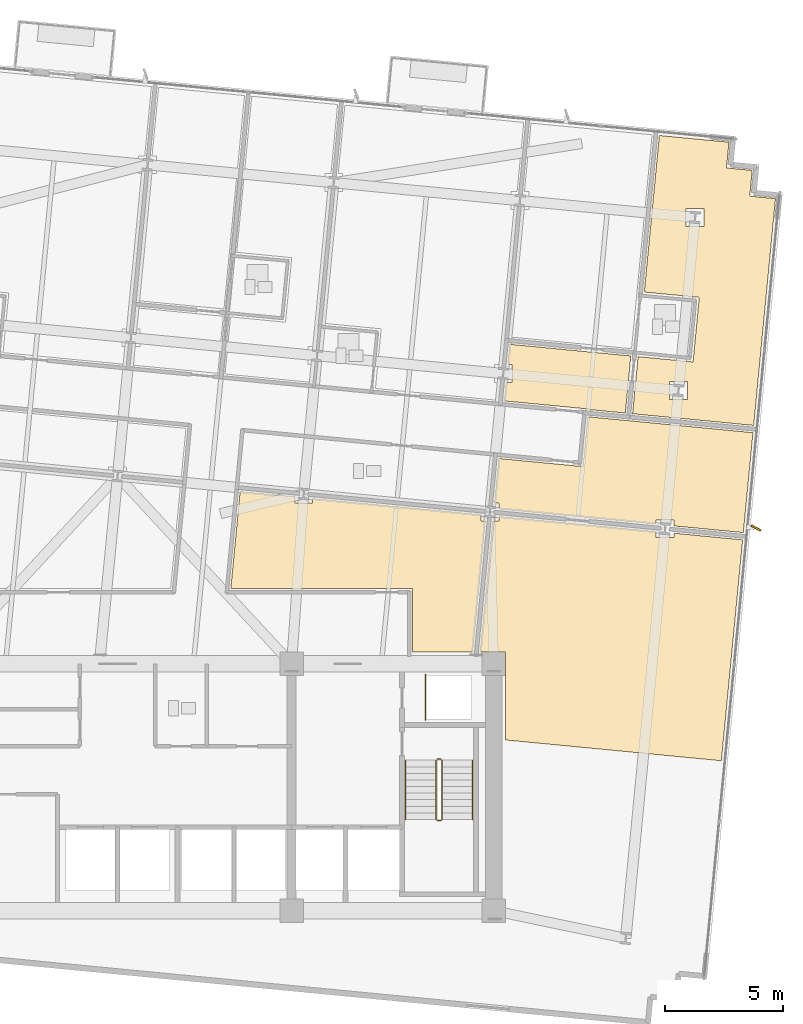
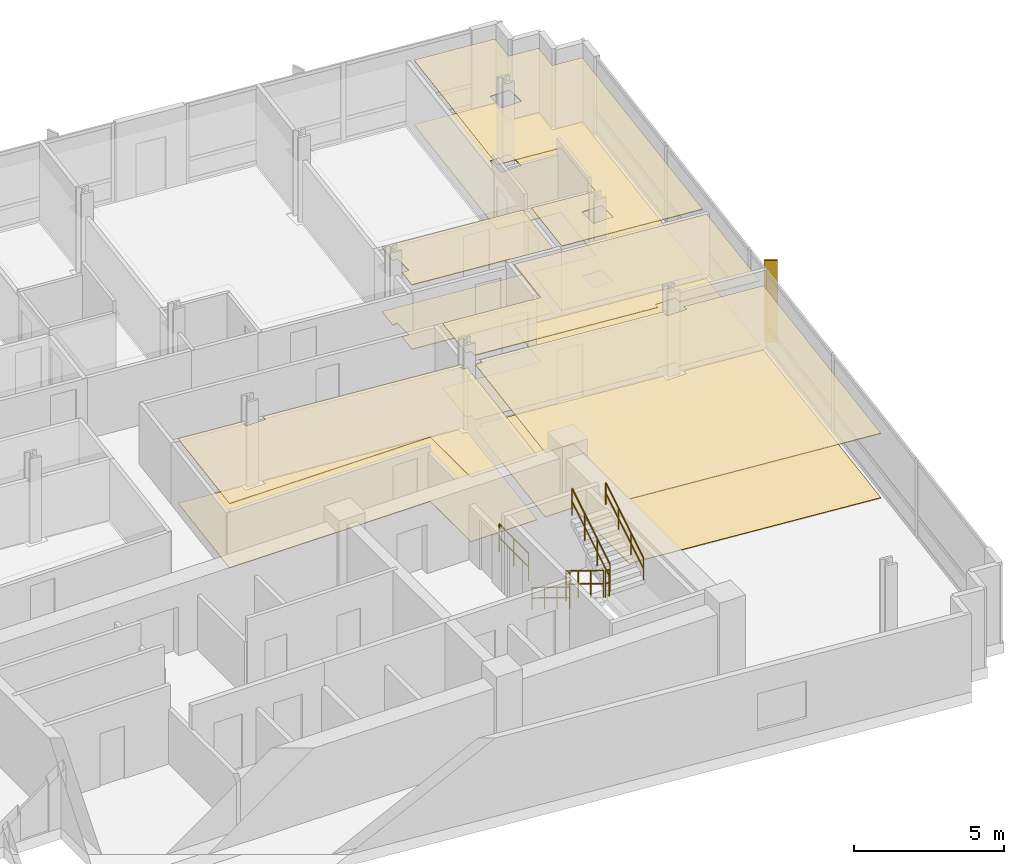
# One storey, part 16 of 18: 10 coverings, 7 railings, 1 shading device.
"""IFC4 building model written with IfcOpenShell, lengths in metres."""

import ifcopenshell
import ifcopenshell.guid

model = None  # the IFC model being written
_history = None  # IfcOwnerHistory: only IFC2X3 demands one
_inside = {}  # id of a spatial element -> (the spatial element, [elements in it])
_under = {}  # id of a project, library or spatial element -> (it, [spatial elements below it])
_declared = {}  # id of a project -> (the project, [libraries it declares])
_typed = {}  # id of a type object -> (the type object, [elements of that type])
_made_of = {}  # id of a material, layer set ... -> (it, [elements and type objects made of it])


def new_model(schema):
    """Start an empty IFC model of exactly this schema.

    Asked for "IFC4X3", IfcOpenShell would pick the latest addendum, in which some entities
    have other attributes; the version numbers below select the first issue.
    IFC2X3 requires an IfcOwnerHistory on every rooted entity: one is made here for all.
    """
    global model, _history
    if schema == "IFC4X3":
        model = ifcopenshell.file(schema_version=(4, 3, 0, 0))
    else:
        model = ifcopenshell.file(schema=schema)
    _inside.clear()
    _under.clear()
    _declared.clear()
    _typed.clear()
    _made_of.clear()
    _history = None
    if model.schema == "IFC2X3":
        org = make("IfcOrganization", Name="unknown")
        user = make(
            "IfcPersonAndOrganization",
            ThePerson=make("IfcPerson", FamilyName="unknown"),
            TheOrganization=org,
        )
        app = make(
            "IfcApplication",
            ApplicationDeveloper=org,
            Version="unknown",
            ApplicationFullName="unknown",
            ApplicationIdentifier="unknown",
        )
        _history = make(
            "IfcOwnerHistory",
            OwningUser=user,
            OwningApplication=app,
            ChangeAction="ADDED",
            CreationDate=0,
        )
    return model


def make(cls, **values):
    """One entity of the class cls with the attributes given. An attribute that is None is left unset."""
    return model.create_entity(
        cls, **{name: value for name, value in values.items() if value is not None}
    )


def rooted(cls, **values):
    """An entity with a GlobalId (a new one), such as an element, a storey or a relation."""
    return make(cls, GlobalId=ifcopenshell.guid.new(), OwnerHistory=_history, **values)


def si_unit(unit_type, name, prefix=None):
    """IfcSIUnit, for example si_unit("LENGTHUNIT", "METRE", prefix="MILLI")."""
    return make("IfcSIUnit", UnitType=unit_type, Prefix=prefix, Name=name)


def assignment(units):
    """IfcUnitAssignment: the units of a project."""
    return None if units is None else make("IfcUnitAssignment", Units=units)


def point(xyz):
    """IfcCartesianPoint."""
    return None if xyz is None else make("IfcCartesianPoint", Coordinates=xyz)


def direction(xyz):
    """IfcDirection."""
    return None if xyz is None else make("IfcDirection", DirectionRatios=xyz)


def frame(location, z_axis=None, x_axis=None):
    """IfcAxis2Placement3D, a coordinate frame: its origin and axes. An axis left out is left unset."""
    return make(
        "IfcAxis2Placement3D",
        Location=point(location),
        Axis=direction(z_axis),
        RefDirection=direction(x_axis),
    )


def frame_2d(location, x_axis=None):
    """IfcAxis2Placement2D, a coordinate frame in the plane: its origin and x axis."""
    return make(
        "IfcAxis2Placement2D", Location=point(location), RefDirection=direction(x_axis)
    )


def origin():
    """The frame at (0, 0, 0) with its axes left unset."""
    return frame((0.0, 0.0, 0.0))


def origin_2d():
    """The frame at (0, 0) in the plane with its x axis left unset."""
    return frame_2d((0.0, 0.0))


def place(relative_to, where):
    """IfcLocalPlacement: puts the frame where relative to a parent placement (None: the world)."""
    return make(
        "IfcLocalPlacement", PlacementRelTo=relative_to, RelativePlacement=where
    )


def context(
    kind, dimensions, precision=None, world=None, true_north=None, identifier=None
):
    """IfcGeometricRepresentationContext, for example the 3D "Model" context."""
    return make(
        "IfcGeometricRepresentationContext",
        ContextIdentifier=identifier,
        ContextType=kind,
        CoordinateSpaceDimension=dimensions,
        Precision=precision,
        WorldCoordinateSystem=world,
        TrueNorth=true_north,
    )


def subcontext(parent, identifier, kind, view, scale=None):
    """IfcGeometricRepresentationSubContext, for example "Body" below "Model"."""
    return make(
        "IfcGeometricRepresentationSubContext",
        ContextIdentifier=identifier,
        ContextType=kind,
        ParentContext=parent,
        TargetScale=scale,
        TargetView=view,
    )


def project(units=None, contexts=None):
    """IfcProject with its units and contexts."""
    return rooted(
        "IfcProject",
        Name="project",
        RepresentationContexts=contexts,
        UnitsInContext=assignment(units),
    )


def spatial(cls, under=None, at=None, **own):
    """A site, building, storey or space (cls), placed at a placement, below another one or the project."""
    s = rooted(cls, ObjectPlacement=at, **own)
    if under is not None:
        _under.setdefault(under.id(), (under, []))[1].append(s)
    return s


def polyline(points):
    """IfcPolyline through the points."""
    return make("IfcPolyline", Points=[point(p) for p in points])


def profile(cls, at=None, kind="AREA", **sizes):
    """A parametric profile (cls). Its sizes go by their IFC names, for example OverallWidth=200.0."""
    return make(cls, ProfileType=kind, Position=at, **sizes)


def rectangle(**sizes):
    """IfcRectangleProfileDef."""
    return profile("IfcRectangleProfileDef", **sizes)


def circle(**sizes):
    """IfcCircleProfileDef."""
    return profile("IfcCircleProfileDef", **sizes)


def outline(outer, holes=None, kind="AREA"):
    """IfcArbitraryClosedProfileDef: a profile drawn as a closed curve; with holes, ...WithVoids."""
    if holes is None:
        return make("IfcArbitraryClosedProfileDef", ProfileType=kind, OuterCurve=outer)
    return make(
        "IfcArbitraryProfileDefWithVoids",
        ProfileType=kind,
        OuterCurve=outer,
        InnerCurves=holes,
    )


def extrude(swept, where, along, depth):
    """IfcExtrudedAreaSolid: the profile swept, set in the frame where, extruded along a direction by depth."""
    return make(
        "IfcExtrudedAreaSolid",
        SweptArea=swept,
        Position=where,
        ExtrudedDirection=direction(along),
        Depth=depth,
    )


def shape(context_of_items, identifier, shape_type, items):
    """IfcShapeRepresentation: the items that make up one representation, for example the "Body"."""
    return make(
        "IfcShapeRepresentation",
        ContextOfItems=context_of_items,
        RepresentationIdentifier=identifier,
        RepresentationType=shape_type,
        Items=items,
    )


def material(Name=None, Category=None):
    """IfcMaterial."""
    return make("IfcMaterial", Name=Name, Category=Category)


def layer(
    of_material, thickness, ventilated=None, Name=None, Category=None, Priority=None
):
    """IfcMaterialLayer: one layer of a wall or slab, of a material (None: an air gap)."""
    return make(
        "IfcMaterialLayer",
        Material=of_material,
        LayerThickness=thickness,
        IsVentilated=ventilated,
        Name=Name,
        Category=Category,
        Priority=Priority,
    )


def layer_set(layers, Name=None):
    """IfcMaterialLayerSet."""
    return make("IfcMaterialLayerSet", MaterialLayers=layers, LayerSetName=Name)


def made_of(thing, what):
    """Note that an element or type object is made of a material, layer set ...; save() writes the relation."""
    if what is not None:
        _made_of.setdefault(what.id(), (what, []))[1].append(thing)
    return thing


def type_object(cls, material=None, **own):
    """A type object (cls), such as IfcWallType, which elements share."""
    return made_of(rooted(cls, **own), material)


def element(
    cls,
    number,
    at=None,
    inside=None,
    cuts=None,
    type_object=None,
    material=None,
    context=None,
    identifier="Body",
    shape_type=None,
    held_by="IfcProductDefinitionShape",
    body=None,
    shapes=None,
    **own,
):
    """One element of the class cls, such as IfcWall. Its Tag is "e" and its number.

    at: its placement. inside: the storey or other place that contains it. cuts: it is an
    opening in that element (IfcRelVoidsElement). A single representation is given by context,
    identifier, shape_type and body (its items); several are given by shapes. held_by: the class
    of the entity that holds the representations. save() writes the other relations.
    """
    e = rooted(cls, Tag="e%d" % number, ObjectPlacement=at, **own)
    if body is not None:
        shapes = [shape(context, identifier, shape_type, body)]
    if shapes is not None:
        e.Representation = make(held_by, Representations=shapes)
    if inside is not None:
        _inside.setdefault(inside.id(), (inside, []))[1].append(e)
    if cuts is not None:
        rooted(
            "IfcRelVoidsElement", RelatingBuildingElement=cuts, RelatedOpeningElement=e
        )
    if type_object is not None:
        _typed.setdefault(type_object.id(), (type_object, []))[1].append(e)
    return made_of(e, material)


def aggregate(whole, parts):
    """IfcRelAggregates: a whole, such as a stair, and the parts it consists of."""
    return rooted("IfcRelAggregates", RelatingObject=whole, RelatedObjects=parts)


def save(model, path):
    """Write the relations noted so far, then the file.

    IfcRelAggregates (storeys below a building ...), IfcRelContainedInSpatialStructure (elements
    in a storey), IfcRelDefinesByType, IfcRelAssociatesMaterial and IfcRelDeclares: one each for
    every whole, place, type object, material and project.
    """
    for whole, parts in _under.values():
        aggregate(whole, parts)
    for where, things in _inside.values():
        rooted(
            "IfcRelContainedInSpatialStructure",
            RelatedElements=things,
            RelatingStructure=where,
        )
    for kind, things in _typed.values():
        rooted("IfcRelDefinesByType", RelatedObjects=things, RelatingType=kind)
    for what, things in _made_of.values():
        rooted("IfcRelAssociatesMaterial", RelatedObjects=things, RelatingMaterial=what)
    for by, libraries in _declared.values():
        rooted("IfcRelDeclares", RelatingContext=by, RelatedDefinitions=libraries)
    model.write(path)


model = new_model("IFC4")

# Units and contexts
model_context = context("Model", 3, precision=1e-05, world=origin(), true_north=direction((0.0, 1.0)))
body_context = subcontext(model_context, "Body", "Model", "MODEL_VIEW")
ifc_project = project(units=[si_unit("LENGTHUNIT", "METRE"), si_unit("AREAUNIT", "SQUARE_METRE"), si_unit("VOLUMEUNIT", "CUBIC_METRE"), si_unit("PLANEANGLEUNIT", "RADIAN"), si_unit("MASSUNIT", "GRAM", prefix="KILO")], contexts=[model_context])

# Site, building, storey
site_placement = place(None, origin())
site = spatial("IfcSite", under=ifc_project, at=site_placement, CompositionType="ELEMENT")
building_placement = place(site_placement, origin())
building = spatial("IfcBuilding", under=site, at=building_placement, Name="Solmavex Isthmus Hotel", CompositionType="ELEMENT")
storey_placement = place(building_placement, frame((0.0, 0.0, 135.89990234375)))
storey = spatial("IfcBuildingStorey", under=building, at=storey_placement, Name="L36", CompositionType="ELEMENT", Elevation=135.89990234375)

# Coverings
ifc_material_1 = material(Name="Gypsum plasterboard lining", Category="gypsum")
ifc_layer_1 = layer(ifc_material_1, 0.030029296875)
ifc_layer_set_1 = layer_set([ifc_layer_1], Name="Gypsum plasterboard lining")
covering_type_1 = type_object("IfcCoveringType", Name="COV-CEIL-GYP", PredefinedType="CEILING", material=ifc_layer_set_1)
covering_1_placement = place(storey_placement, frame((0.0, 0.0, 2.6201171875)))
element("IfcCovering", 1, at=covering_1_placement, inside=storey, type_object=covering_type_1, Name="Suspended Acoustic Ceiling L36-SL06-FY", PredefinedType="CEILING", context=body_context, shape_type="SweptSolid", body=[
    extrude(outline(polyline([(16.5986328125, 10.22607421875), (16.786376953125, 10.22607421875), (16.786376953125, 9.466064453125), (16.525390625, 9.466064453125), (16.449951171875, 8.68359375), (20.033447265625, 8.33837890625), (20.031494140625, 8.318603515625), (21.598388671875, 8.167724609375), (21.832275390625, 10.596435546875), (16.681884765625, 11.09228515625), (16.5986328125, 10.22607421875)])), origin(), (0.0, 0.0, 1.0), 0.030029296875),
])
covering_2_placement = place(storey_placement, frame((0.0, 0.0, 2.6201171875)))
element("IfcCovering", 2, at=covering_2_placement, inside=storey, type_object=covering_type_1, Name="Suspended Acoustic Ceiling L36-SV06", PredefinedType="CEILING", context=body_context, shape_type="SweptSolid", body=[
    extrude(outline(polyline([(22.140869140625, 10.566650390625), (21.906982421875, 8.137939453125), (27.05712890625, 7.64208984375), (27.90673828125, 16.46630859375), (27.98583984375, 17.287353515625), (26.890869140625, 17.392822265625), (26.996337890625, 18.48779296875), (25.9013671875, 18.59326171875), (26.0068359375, 19.688232421875), (25.185546875, 19.767333984375), (23.04638671875, 19.97314453125), (22.4052734375, 13.31396484375), (24.744384765625, 13.0888671875), (24.47998046875, 10.341552734375), (22.140869140625, 10.566650390625)]), holes=[polyline([(24.188232421875, 16.106201171875), (24.188232421875, 16.8662109375), (24.9482421875, 16.8662109375), (24.9482421875, 16.106201171875), (24.188232421875, 16.106201171875)]), polyline([(23.479736328125, 8.748291015625), (23.479736328125, 9.50830078125), (24.23974609375, 9.50830078125), (24.23974609375, 8.748291015625), (23.479736328125, 8.748291015625)])]), origin(), (0.0, 0.0, 1.0), 0.030029296875),
])
covering_3_placement = place(storey_placement, frame((0.0, 0.0, 2.6201171875)))
element("IfcCovering", 3, at=covering_3_placement, inside=storey, type_object=covering_type_1, Name="Suspended Acoustic Ceiling L36-FL09", PredefinedType="CEILING", context=body_context, shape_type="SweptSolid", body=[
    extrude(outline(polyline([(22.91357421875, 3.43994140625), (22.91357421875, 3.62744140625), (23.673583984375, 3.62744140625), (23.673583984375, 3.36669921875), (26.6181640625, 3.083251953125), (27.02734375, 7.33349609375), (20.001953125, 8.010009765625), (19.797607421875, 5.8896484375), (16.21435546875, 6.23486328125), (16.0322265625, 4.34521484375), (16.219970703125, 4.34521484375), (16.219970703125, 4.08447265625), (22.91357421875, 3.43994140625)])), origin(), (0.0, 0.0, 1.0), 0.030029296875),
])
covering_4_placement = place(storey_placement, frame((0.0, 0.0, 2.6201171875)))
element("IfcCovering", 4, at=covering_4_placement, inside=storey, type_object=covering_type_1, Name="Suspended Acoustic Ceiling L36-FL11", PredefinedType="CEILING", context=body_context, shape_type="SweptSolid", body=[
    extrude(outline(polyline([(8.300537109375, 4.535400390625), (8.300537109375, 4.347900390625), (7.540771484375, 4.347900390625), (7.540771484375, 4.608642578125), (5.21533203125, 4.83251953125), (4.81787109375, 0.705078125), (12.554931640625, 0.705078125), (12.554931640625, -1.9951171875), (15.1103515625, -1.9951171875), (15.647705078125, 3.585205078125), (15.4599609375, 3.585205078125), (15.4599609375, 3.84619140625), (8.300537109375, 4.535400390625)])), origin(), (0.0, 0.0, 1.0), 0.030029296875),
])
covering_5_placement = place(storey_placement, frame((0.0, 0.0, 2.6201171875)))
element("IfcCovering", 5, at=covering_5_placement, inside=storey, type_object=covering_type_1, Name="Suspended Acoustic Ceiling L36-FL12", PredefinedType="CEILING", context=body_context, shape_type="SweptSolid", body=[
    extrude(outline(polyline([(16.219970703125, 3.77294921875), (16.219970703125, 3.585205078125), (15.959228515625, 3.585205078125), (15.421875, -1.9951171875), (16.5048828125, -1.9951171875), (16.5048828125, -5.73828125), (25.68359375, -6.6220703125), (26.58837890625, 2.774658203125), (23.673583984375, 3.05517578125), (23.673583984375, 2.867431640625), (22.91357421875, 2.867431640625), (22.91357421875, 3.12841796875), (16.219970703125, 3.77294921875)])), origin(), (0.0, 0.0, 1.0), 0.030029296875),
])
ifc_material_2 = material(Name="Travertine natural stone", Category="masonry")
ifc_layer_2 = layer(ifc_material_2, 0.02490234375)
ifc_layer_set_2 = layer_set([ifc_layer_2], Name="Travertine natural stone")
covering_type_2 = type_object("IfcCoveringType", Name="COV-FLOR-STN", PredefinedType="FLOORING", material=ifc_layer_set_2)
covering_6_placement = place(storey_placement, origin())
element("IfcCovering", 6, at=covering_6_placement, inside=storey, type_object=covering_type_2, Name="Stone and Timber Floor Finish L36-SL06-FY", PredefinedType="FLOORING", context=body_context, shape_type="SweptSolid", body=[
    extrude(outline(polyline([(16.5986328125, 10.22607421875), (16.786376953125, 10.22607421875), (16.786376953125, 9.466064453125), (16.525390625, 9.466064453125), (16.449951171875, 8.68359375), (20.033447265625, 8.33837890625), (20.031494140625, 8.318603515625), (21.598388671875, 8.167724609375), (21.832275390625, 10.596435546875), (16.681884765625, 11.09228515625), (16.5986328125, 10.22607421875)])), origin(), (0.0, 0.0, 1.0), 0.025146484375),
])
covering_7_placement = place(storey_placement, origin())
element("IfcCovering", 7, at=covering_7_placement, inside=storey, type_object=covering_type_2, Name="Stone and Timber Floor Finish L36-SV06", PredefinedType="FLOORING", context=body_context, shape_type="SweptSolid", body=[
    extrude(outline(polyline([(22.140869140625, 10.566650390625), (21.906982421875, 8.137939453125), (27.05712890625, 7.64208984375), (27.90673828125, 16.46630859375), (27.98583984375, 17.287353515625), (26.890869140625, 17.392822265625), (26.996337890625, 18.48779296875), (25.9013671875, 18.59326171875), (26.0068359375, 19.688232421875), (25.185546875, 19.767333984375), (23.04638671875, 19.97314453125), (22.4052734375, 13.31396484375), (24.744384765625, 13.0888671875), (24.47998046875, 10.341552734375), (22.140869140625, 10.566650390625)]), holes=[polyline([(24.188232421875, 16.106201171875), (24.188232421875, 16.8662109375), (24.9482421875, 16.8662109375), (24.9482421875, 16.106201171875), (24.188232421875, 16.106201171875)]), polyline([(23.479736328125, 8.748291015625), (23.479736328125, 9.50830078125), (24.23974609375, 9.50830078125), (24.23974609375, 8.748291015625), (23.479736328125, 8.748291015625)])]), origin(), (0.0, 0.0, 1.0), 0.025146484375),
])
covering_8_placement = place(storey_placement, origin())
element("IfcCovering", 8, at=covering_8_placement, inside=storey, type_object=covering_type_2, Name="Stone and Timber Floor Finish L36-FL09", PredefinedType="FLOORING", context=body_context, shape_type="SweptSolid", body=[
    extrude(outline(polyline([(22.91357421875, 3.43994140625), (22.91357421875, 3.62744140625), (23.673583984375, 3.62744140625), (23.673583984375, 3.36669921875), (26.6181640625, 3.083251953125), (27.02734375, 7.33349609375), (20.001953125, 8.010009765625), (19.797607421875, 5.8896484375), (16.21435546875, 6.23486328125), (16.0322265625, 4.34521484375), (16.219970703125, 4.34521484375), (16.219970703125, 4.08447265625), (22.91357421875, 3.43994140625)])), origin(), (0.0, 0.0, 1.0), 0.025146484375),
])
covering_9_placement = place(storey_placement, origin())
element("IfcCovering", 9, at=covering_9_placement, inside=storey, type_object=covering_type_2, Name="Stone and Timber Floor Finish L36-FL11", PredefinedType="FLOORING", context=body_context, shape_type="SweptSolid", body=[
    extrude(outline(polyline([(8.300537109375, 4.535400390625), (8.300537109375, 4.347900390625), (7.540771484375, 4.347900390625), (7.540771484375, 4.608642578125), (5.21533203125, 4.83251953125), (4.81787109375, 0.705078125), (12.554931640625, 0.705078125), (12.554931640625, -1.9951171875), (15.1103515625, -1.9951171875), (15.647705078125, 3.585205078125), (15.4599609375, 3.585205078125), (15.4599609375, 3.84619140625), (8.300537109375, 4.535400390625)])), origin(), (0.0, 0.0, 1.0), 0.025146484375),
])
covering_10_placement = place(storey_placement, origin())
element("IfcCovering", 10, at=covering_10_placement, inside=storey, type_object=covering_type_2, Name="Stone and Timber Floor Finish L36-FL12", PredefinedType="FLOORING", context=body_context, shape_type="SweptSolid", body=[
    extrude(outline(polyline([(16.219970703125, 3.77294921875), (16.219970703125, 3.585205078125), (15.959228515625, 3.585205078125), (15.421875, -1.9951171875), (16.5048828125, -1.9951171875), (16.5048828125, -5.73828125), (25.68359375, -6.6220703125), (26.58837890625, 2.774658203125), (23.673583984375, 3.05517578125), (23.673583984375, 2.867431640625), (22.91357421875, 2.867431640625), (22.91357421875, 3.12841796875), (16.219970703125, 3.77294921875)])), origin(), (0.0, 0.0, 1.0), 0.025146484375),
])

# Railings
ifc_material_3 = material(Name="Clear low-E laminated glass", Category="glass")
ifc_layer_3 = layer(ifc_material_3, 0.080078125)
ifc_layer_set_3 = layer_set([ifc_layer_3], Name="Clear low-E laminated glass")
railing_type_1 = type_object("IfcRailingType", Name="RAIL-ATRIUM-1120", PredefinedType="BALUSTRADE", material=ifc_layer_set_3)
railing_1_placement = place(storey_placement, frame((13.10009765625, -4.89990234375, 0.0)))
element("IfcRailing", 11, at=railing_1_placement, inside=storey, type_object=railing_type_1, Name="Guardrail Balustrade L36-RSE-01", PredefinedType="BALUSTRADE", context=body_context, shape_type="SweptSolid", body=[
    extrude(circle(Radius=0.02392578125, at=origin_2d()), frame((0.0, 0.0, 1.1259765625), z_axis=(0.0, 1.0, 0.0), x_axis=(-1.0, 0.0, 0.0)), (0.0, 0.0, 1.0), 1.949951171875),
    extrude(circle(Radius=0.02392578125, at=origin_2d()), frame((0.0, 0.0, 0.574951171875), z_axis=(0.0, 1.0, 0.0), x_axis=(-1.0, 0.0, 0.0)), (0.0, 0.0, 1.0), 1.949951171875),
    extrude(circle(Radius=0.02099609375, at=origin_2d()), origin(), (0.0, 0.0, 1.0), 1.101806640625),
    extrude(circle(Radius=0.02099609375, at=origin_2d()), frame((0.0, 0.97509765625, 0.0)), (0.0, 0.0, 1.0), 1.101806640625),
    extrude(circle(Radius=0.02099609375, at=origin_2d()), frame((0.0, 1.949951171875, 0.0)), (0.0, 0.0, 1.0), 1.101806640625),
])
ifc_material_4 = material(Name="Stainless steel 316", Category="steel")
ifc_layer_4 = layer(ifc_material_4, 0.06005859375)
ifc_layer_set_4 = layer_set([ifc_layer_4], Name="Stainless steel 316")
railing_type_2 = type_object("IfcRailingType", Name="RAIL-STAIR-GD", PredefinedType="GUARDRAIL", material=ifc_layer_set_4)
railing_2_placement = place(storey_placement, frame((13.550048828125, -6.60009765625, 0.172607421875)))
element("IfcRailing", 12, at=railing_2_placement, inside=storey, type_object=railing_type_2, Name="L36 ST-2 stair guard 1", PredefinedType="GUARDRAIL", context=body_context, shape_type="SweptSolid", body=[
    extrude(circle(Radius=0.02392578125, at=origin_2d()), frame((0.0, 0.0, 1.09619140625), z_axis=(0.0, -0.851400495292, 0.524516154772), x_axis=(1.0, 0.0, 0.0)), (0.0, 0.0, 1.0), 2.9599609375),
    extrude(circle(Radius=0.02392578125, at=origin_2d()), frame((0.0, 0.0, 0.56005859375), z_axis=(0.0, -0.851400495292, 0.524516154772), x_axis=(1.0, 0.0, 0.0)), (0.0, 0.0, 1.0), 2.9599609375),
    extrude(circle(Radius=0.02099609375, at=origin_2d()), origin(), (0.0, 0.0, 1.0), 1.072021484375),
    extrude(circle(Radius=0.02099609375, at=origin_2d()), frame((0.0, -0.840087890625, 0.517578125)), (0.0, 0.0, 1.0), 1.072021484375),
    extrude(circle(Radius=0.02099609375, at=origin_2d()), frame((0.0, -1.679931640625, 1.034912109375)), (0.0, 0.0, 1.0), 1.072021484375),
    extrude(circle(Radius=0.02099609375, at=origin_2d()), frame((0.0, -2.52001953125, 1.552490234375)), (0.0, 0.0, 1.0), 1.072021484375),
])
railing_3_placement = place(storey_placement, frame((13.60009765625, -9.169921875, 1.72509765625)))
element("IfcRailing", 13, at=railing_3_placement, inside=storey, type_object=railing_type_2, Name="L36 ST-2 stair guard 2", PredefinedType="GUARDRAIL", context=body_context, shape_type="SweptSolid", body=[
    extrude(circle(Radius=0.02392578125, at=origin_2d()), frame((0.0, 0.0, 1.09619140625), z_axis=(1.0, 0.0, 0.0), x_axis=(0.0, 1.0, 0.0)), (0.0, 0.0, 1.0), 0.14990234375),
    extrude(circle(Radius=0.02392578125, at=origin_2d()), frame((0.0, 0.0, 0.56005859375), z_axis=(1.0, 0.0, 0.0), x_axis=(0.0, 1.0, 0.0)), (0.0, 0.0, 1.0), 0.14990234375),
    extrude(circle(Radius=0.02099609375, at=origin_2d()), origin(), (0.0, 0.0, 1.0), 1.072021484375),
    extrude(circle(Radius=0.02099609375, at=origin_2d()), frame((0.14990234375, 0.0, 0.0)), (0.0, 0.0, 1.0), 1.072021484375),
])
railing_4_placement = place(storey_placement, frame((13.800048828125, -9.1201171875, 1.897705078125)))
element("IfcRailing", 14, at=railing_4_placement, inside=storey, type_object=railing_type_2, Name="L36 ST-2 stair guard 3", PredefinedType="GUARDRAIL", context=body_context, shape_type="SweptSolid", body=[
    extrude(circle(Radius=0.02392578125, at=origin_2d()), frame((0.0, 0.0, 1.09619140625), z_axis=(0.0, 0.851400495292, 0.524516154772), x_axis=(-1.0, 0.0, 0.0)), (0.0, 0.0, 1.0), 2.9599609375),
    extrude(circle(Radius=0.02392578125, at=origin_2d()), frame((0.0, 0.0, 0.56005859375), z_axis=(0.0, 0.851400495292, 0.524516154772), x_axis=(-1.0, 0.0, 0.0)), (0.0, 0.0, 1.0), 2.9599609375),
    extrude(circle(Radius=0.02099609375, at=origin_2d()), origin(), (0.0, 0.0, 1.0), 1.072021484375),
    extrude(circle(Radius=0.02099609375, at=origin_2d()), frame((0.0, 0.840087890625, 0.517578125)), (0.0, 0.0, 1.0), 1.072021484375),
    extrude(circle(Radius=0.02099609375, at=origin_2d()), frame((0.0, 1.679931640625, 1.034912109375)), (0.0, 0.0, 1.0), 1.072021484375),
    extrude(circle(Radius=0.02099609375, at=origin_2d()), frame((0.0, 2.52001953125, 1.552490234375)), (0.0, 0.0, 1.0), 1.072021484375),
])
railing_5_placement = place(storey_placement, frame((13.60009765625, -6.550048828125, 0.0)))
element("IfcRailing", 15, at=railing_5_placement, inside=storey, type_object=railing_type_2, Name="L36 ST-2 stair guard 4", PredefinedType="GUARDRAIL", context=body_context, shape_type="SweptSolid", body=[
    extrude(circle(Radius=0.02392578125, at=origin_2d()), frame((0.0, 0.0, 1.09619140625), z_axis=(1.0, 0.0, 0.0), x_axis=(0.0, 1.0, 0.0)), (0.0, 0.0, 1.0), 0.14990234375),
    extrude(circle(Radius=0.02392578125, at=origin_2d()), frame((0.0, 0.0, 0.56005859375), z_axis=(1.0, 0.0, 0.0), x_axis=(0.0, 1.0, 0.0)), (0.0, 0.0, 1.0), 0.14990234375),
    extrude(circle(Radius=0.02099609375, at=origin_2d()), origin(), (0.0, 0.0, 1.0), 1.072021484375),
    extrude(circle(Radius=0.02099609375, at=origin_2d()), frame((0.14990234375, 0.0, 0.0)), (0.0, 0.0, 1.0), 1.072021484375),
])
ifc_layer_5 = layer(ifc_material_4, 0.050048828125)
ifc_layer_set_5 = layer_set([ifc_layer_5], Name="Stainless steel 316")
railing_type_3 = type_object("IfcRailingType", Name="RAIL-STAIR-HR", PredefinedType="HANDRAIL", material=ifc_layer_set_5)
railing_6_placement = place(storey_placement, frame((12.25, -6.60009765625, 0.172607421875)))
element("IfcRailing", 16, at=railing_6_placement, inside=storey, type_object=railing_type_3, Name="L36 ST-2 stair handrail 1", PredefinedType="HANDRAIL", context=body_context, shape_type="SweptSolid", body=[
    extrude(circle(Radius=0.02392578125, at=origin_2d()), frame((0.0, 0.0, 0.8759765625), z_axis=(0.0, -0.851400495292, 0.524516154772), x_axis=(1.0, 0.0, 0.0)), (0.0, 0.0, 1.0), 2.9599609375),
    extrude(circle(Radius=0.02392578125, at=origin_2d()), frame((0.0, 0.0, 0.449951171875), z_axis=(0.0, -0.851400495292, 0.524516154772), x_axis=(1.0, 0.0, 0.0)), (0.0, 0.0, 1.0), 2.9599609375),
    extrude(circle(Radius=0.02099609375, at=origin_2d()), origin(), (0.0, 0.0, 1.0), 0.851806640625),
    extrude(circle(Radius=0.02099609375, at=origin_2d()), frame((0.0, -0.840087890625, 0.517578125)), (0.0, 0.0, 1.0), 0.851806640625),
    extrude(circle(Radius=0.02099609375, at=origin_2d()), frame((0.0, -1.679931640625, 1.034912109375)), (0.0, 0.0, 1.0), 0.851806640625),
    extrude(circle(Radius=0.02099609375, at=origin_2d()), frame((0.0, -2.52001953125, 1.552490234375)), (0.0, 0.0, 1.0), 0.851806640625),
])
railing_7_placement = place(storey_placement, frame((15.10009765625, -9.1201171875, 1.897705078125)))
element("IfcRailing", 17, at=railing_7_placement, inside=storey, type_object=railing_type_3, Name="L36 ST-2 stair handrail 2", PredefinedType="HANDRAIL", context=body_context, shape_type="SweptSolid", body=[
    extrude(circle(Radius=0.02392578125, at=origin_2d()), frame((0.0, 0.0, 0.8759765625), z_axis=(0.0, 0.851400495292, 0.524516154772), x_axis=(-1.0, 0.0, 0.0)), (0.0, 0.0, 1.0), 2.9599609375),
    extrude(circle(Radius=0.02392578125, at=origin_2d()), frame((0.0, 0.0, 0.449951171875), z_axis=(0.0, 0.851400495292, 0.524516154772), x_axis=(-1.0, 0.0, 0.0)), (0.0, 0.0, 1.0), 2.9599609375),
    extrude(circle(Radius=0.02099609375, at=origin_2d()), origin(), (0.0, 0.0, 1.0), 0.851806640625),
    extrude(circle(Radius=0.02099609375, at=origin_2d()), frame((0.0, 0.840087890625, 0.517578125)), (0.0, 0.0, 1.0), 0.851806640625),
    extrude(circle(Radius=0.02099609375, at=origin_2d()), frame((0.0, 1.679931640625, 1.034912109375)), (0.0, 0.0, 1.0), 0.851806640625),
    extrude(circle(Radius=0.02099609375, at=origin_2d()), frame((0.0, 2.52001953125, 1.552490234375)), (0.0, 0.0, 1.0), 0.851806640625),
])

# Shading device
ifc_material_5 = material(Name="Aluminium alloy 6063-T6", Category="aluminium")
shading_device_type = type_object("IfcShadingDeviceType", Name="SHD-FIN-BRONZE", PredefinedType="USERDEFINED", material=ifc_material_5)
shading_device_placement = place(storey_placement, frame((27.154296875, 3.277587890625, -0.139892578125), z_axis=(0.0, 0.0, 1.0), x_axis=(0.87035569594, -0.492423560103, 0.0)))
element("IfcShadingDevice", 18, at=shading_device_placement, inside=storey, type_object=shading_device_type, Name="Anodised Aluminium Solar Fin L36-E1", ObjectType="SOLAR_FIN", PredefinedType="USERDEFINED", context=body_context, shape_type="SweptSolid", body=[
    extrude(rectangle(XDim=0.449951171875, YDim=0.080078125, at=origin_2d()), origin(), (0.0, 0.0, 1.0), 3.330078125),
])

save(model, "model.ifc")
